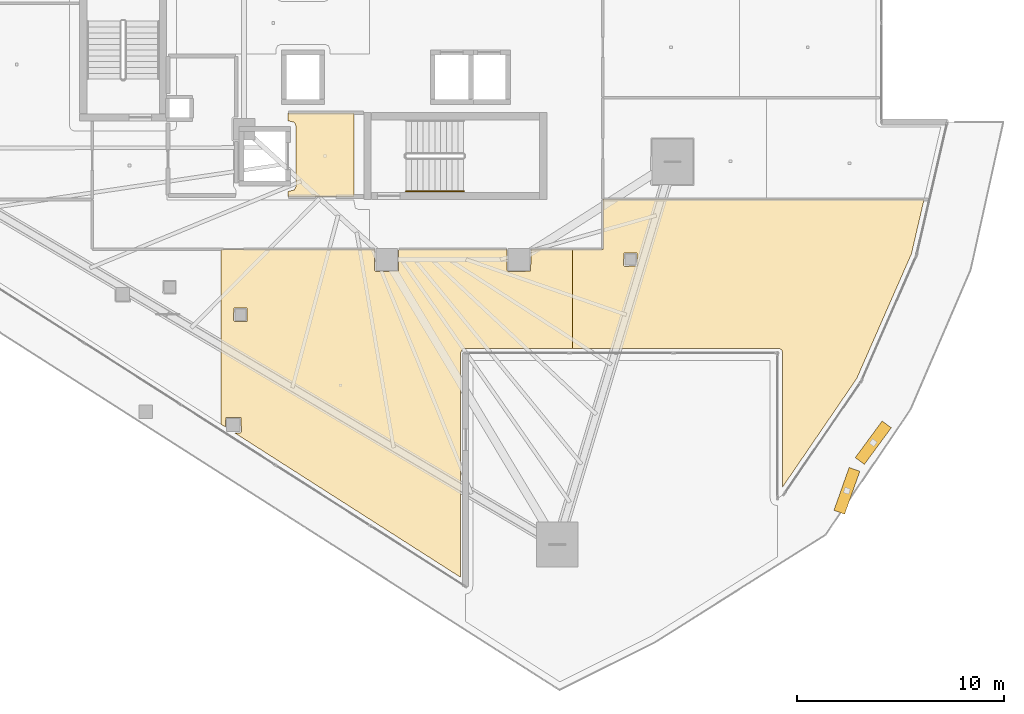
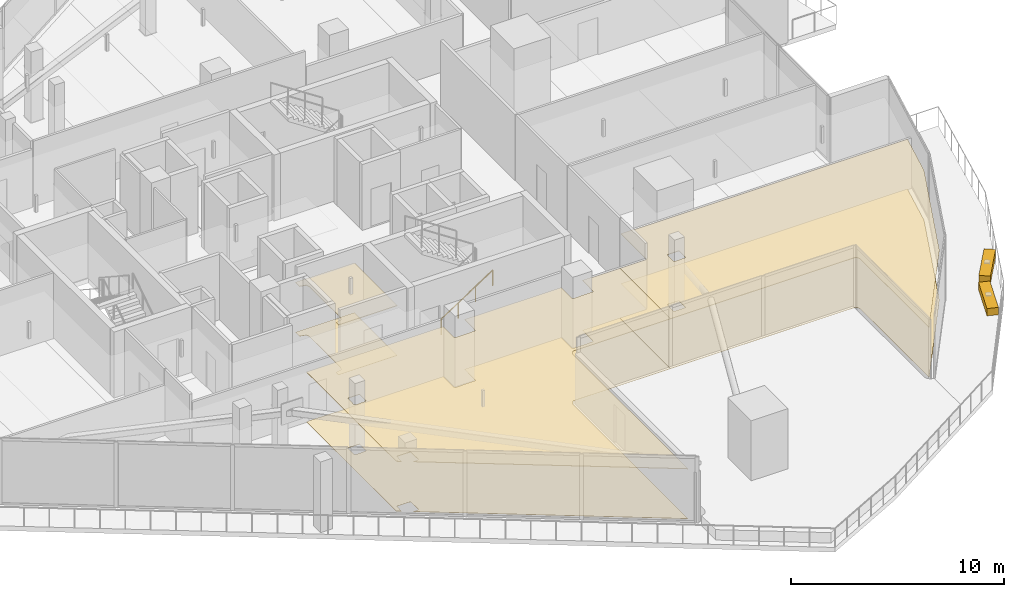
# One storey, part 38 of 43: 6 coverings, 2 shading devices, 1 railing.
"""IFC4 building model written with IfcOpenShell, lengths in metres."""

from ifc_helpers import new_model, si_unit, direction, frame, origin, origin_2d, place, context, subcontext, project, spatial, polyline, rectangle, circle, outline, extrude, material, layer, layer_set, type_object, element, save


model = new_model("IFC4")

# Units and contexts
model_context = context("Model", 3, precision=1e-05, world=origin(), true_north=direction((0.0, 1.0)))
body_context = subcontext(model_context, "Body", "Model", "MODEL_VIEW")
ifc_project = project(units=[si_unit("LENGTHUNIT", "METRE"), si_unit("AREAUNIT", "SQUARE_METRE"), si_unit("VOLUMEUNIT", "CUBIC_METRE"), si_unit("PLANEANGLEUNIT", "RADIAN"), si_unit("MASSUNIT", "GRAM", prefix="KILO")], contexts=[model_context])

# Site, building, storey
site_placement = place(None, origin())
site = spatial("IfcSite", under=ifc_project, at=site_placement, CompositionType="ELEMENT")
building_placement = place(site_placement, origin())
building = spatial("IfcBuilding", under=site, at=building_placement, Name="Qorvath Tower", CompositionType="ELEMENT")
storey_placement = place(building_placement, frame((0.0, 0.0, 150.300048828125)))
storey = spatial("IfcBuildingStorey", under=building, at=storey_placement, Name="L34", CompositionType="ELEMENT", Elevation=150.300048828125)

# Coverings
ifc_material_1 = material(Name="Acoustic mineral fibre ceiling tile", Category="gypsum")
ifc_layer_1 = layer(ifc_material_1, 0.030029296875)
ifc_layer_set_1 = layer_set([ifc_layer_1], Name="COV-CEIL")
covering_type_1 = type_object("IfcCoveringType", Name="COV-CEIL", PredefinedType="CEILING", material=ifc_layer_set_1)
covering_1_placement = place(storey_placement, frame((0.0, 0.0, 2.849853515625)))
element("IfcCovering", 1, at=covering_1_placement, inside=storey, type_object=covering_type_1, Name="L34 Suspended Acoustic Ceiling 002", PredefinedType="CEILING", context=body_context, shape_type="SweptSolid", body=[
    extrude(outline(polyline([(-25.18994140625, -8.39501953125), (-25.18994140625, -4.35498046875), (-28.375, -4.35498046875), (-28.375, -4.739990234375), (-28.063232421875, -4.813232421875), (-27.989990234375, -4.989990234375), (-27.989990234375, -7.909912109375), (-28.063232421875, -8.086669921875), (-28.375, -8.159912109375), (-28.375, -8.39501953125), (-25.18994140625, -8.39501953125)])), origin(), (0.0, 0.0, 1.0), 0.030029296875),
])
covering_2_placement = place(storey_placement, frame((0.0, 0.0, 2.849853515625)))
element("IfcCovering", 2, at=covering_2_placement, inside=storey, type_object=covering_type_1, Name="L34 Suspended Acoustic Ceiling 018", PredefinedType="CEILING", context=body_context, shape_type="SweptSolid", body=[
    extrude(outline(polyline([(-14.603759765625, -15.755859375), (-14.603759765625, -10.962890625), (-16.614990234375, -10.962890625), (-16.632568359375, -12.017333984375), (-17.72509765625, -12.034912109375), (-17.784912109375, -11.97509765625), (-17.784912109375, -10.962890625), (-23.014892578125, -10.962890625), (-23.032470703125, -12.017333984375), (-24.125, -12.034912109375), (-24.18505859375, -11.97509765625), (-24.18505859375, -10.962890625), (-31.611328125, -10.962890625), (-31.611328125, -19.425048828125), (-31.401123046875, -19.5595703125), (-31.383544921875, -19.093017578125), (-30.648681640625, -19.093017578125), (-30.631103515625, -19.785400390625), (-30.691162109375, -19.845458984375), (-30.953857421875, -19.845458984375), (-20.0390625, -26.8212890625), (-20.0390625, -15.98388671875), (-19.9052734375, -15.760009765625), (-14.603759765625, -15.755859375)]), holes=[polyline([(-31.01220703125, -14.3994140625), (-30.99462890625, -13.806884765625), (-30.35986328125, -13.806884765625), (-30.35986328125, -14.441650390625), (-30.9521484375, -14.459228515625), (-31.01220703125, -14.3994140625)])]), origin(), (0.0, 0.0, 1.0), 0.030029296875),
])
covering_3_placement = place(storey_placement, frame((0.0, 0.0, 2.849853515625)))
element("IfcCovering", 3, at=covering_3_placement, inside=storey, type_object=covering_type_1, Name="L34 Suspended Acoustic Ceiling 019", PredefinedType="CEILING", context=body_context, shape_type="SweptSolid", body=[
    extrude(outline(polyline([(-4.43310546875, -15.98388671875), (-4.43310546875, -22.452880859375), (-0.85205078125, -17.2138671875), (1.796142578125, -11.18017578125), (2.404052734375, -8.554931640625), (-13.136962890625, -8.554931640625), (-13.14208984375, -10.962890625), (-14.603759765625, -10.962890625), (-14.603759765625, -15.755859375), (-4.59228515625, -15.748046875), (-4.47705078125, -15.84130859375), (-4.43310546875, -15.98388671875)]), holes=[polyline([(-12.135009765625, -11.72509765625), (-12.117431640625, -11.132568359375), (-11.482666015625, -11.132568359375), (-11.482666015625, -11.767333984375), (-12.074951171875, -11.784912109375), (-12.135009765625, -11.72509765625)])]), origin(), (0.0, 0.0, 1.0), 0.030029296875),
])
ifc_material_2 = material(Name="Low-VOC modular carpet tile", Category="textile")
ifc_layer_2 = layer(ifc_material_2, 0.014892578125)
ifc_layer_set_2 = layer_set([ifc_layer_2], Name="COV-FLOOR-CPT")
covering_type_2 = type_object("IfcCoveringType", Name="COV-FLOOR-CPT", PredefinedType="FLOORING", material=ifc_layer_set_2)
covering_4_placement = place(storey_placement, origin())
element("IfcCovering", 4, at=covering_4_placement, inside=storey, type_object=covering_type_2, Name="L34 Floor Finish 018", PredefinedType="FLOORING", context=body_context, shape_type="SweptSolid", body=[
    extrude(outline(polyline([(-14.603759765625, -15.755859375), (-14.603759765625, -10.962890625), (-16.614990234375, -10.962890625), (-16.632568359375, -12.017333984375), (-17.72509765625, -12.034912109375), (-17.784912109375, -11.97509765625), (-17.784912109375, -10.962890625), (-23.014892578125, -10.962890625), (-23.032470703125, -12.017333984375), (-24.125, -12.034912109375), (-24.18505859375, -11.97509765625), (-24.18505859375, -10.962890625), (-31.611328125, -10.962890625), (-31.611328125, -19.425048828125), (-31.401123046875, -19.5595703125), (-31.383544921875, -19.093017578125), (-30.648681640625, -19.093017578125), (-30.631103515625, -19.785400390625), (-30.691162109375, -19.845458984375), (-30.953857421875, -19.845458984375), (-20.0390625, -26.8212890625), (-20.0390625, -15.98388671875), (-19.9052734375, -15.760009765625), (-14.603759765625, -15.755859375)]), holes=[polyline([(-31.01220703125, -14.3994140625), (-30.99462890625, -13.806884765625), (-30.35986328125, -13.806884765625), (-30.35986328125, -14.441650390625), (-30.9521484375, -14.459228515625), (-31.01220703125, -14.3994140625)])]), origin(), (0.0, 0.0, 1.0), 0.014892578125),
])
covering_5_placement = place(storey_placement, origin())
element("IfcCovering", 5, at=covering_5_placement, inside=storey, type_object=covering_type_2, Name="L34 Floor Finish 019", PredefinedType="FLOORING", context=body_context, shape_type="SweptSolid", body=[
    extrude(outline(polyline([(-4.43310546875, -15.98388671875), (-4.43310546875, -22.452880859375), (-0.85205078125, -17.2138671875), (1.796142578125, -11.18017578125), (2.404052734375, -8.554931640625), (-13.136962890625, -8.554931640625), (-13.14208984375, -10.962890625), (-14.603759765625, -10.962890625), (-14.603759765625, -15.755859375), (-4.59228515625, -15.748046875), (-4.47705078125, -15.84130859375), (-4.43310546875, -15.98388671875)]), holes=[polyline([(-12.135009765625, -11.72509765625), (-12.117431640625, -11.132568359375), (-11.482666015625, -11.132568359375), (-11.482666015625, -11.767333984375), (-12.074951171875, -11.784912109375), (-12.135009765625, -11.72509765625)])]), origin(), (0.0, 0.0, 1.0), 0.014892578125),
])
ifc_material_3 = material(Name="Polished epoxy terrazzo flooring", Category="concrete")
ifc_layer_3 = layer(ifc_material_3, 0.02001953125)
ifc_layer_set_3 = layer_set([ifc_layer_3], Name="COV-FLOOR-TRZ")
covering_type_3 = type_object("IfcCoveringType", Name="COV-FLOOR-TRZ", PredefinedType="FLOORING", material=ifc_layer_set_3)
covering_6_placement = place(storey_placement, origin())
element("IfcCovering", 6, at=covering_6_placement, inside=storey, type_object=covering_type_3, Name="L34 Floor Finish 002", PredefinedType="FLOORING", context=body_context, shape_type="SweptSolid", body=[
    extrude(outline(polyline([(-25.18994140625, -8.39501953125), (-25.18994140625, -4.35498046875), (-28.375, -4.35498046875), (-28.375, -4.739990234375), (-28.063232421875, -4.813232421875), (-27.989990234375, -4.989990234375), (-27.989990234375, -7.909912109375), (-28.063232421875, -8.086669921875), (-28.375, -8.159912109375), (-28.375, -8.39501953125), (-25.18994140625, -8.39501953125)])), origin(), (0.0, 0.0, 1.0), 0.014892578125),
])

# Railing
ifc_material_4 = material(Name="Brushed stainless steel AISI 304", Category="steel")
railing_type = type_object("IfcRailingType", Name="RL-STR-HND", PredefinedType="HANDRAIL", material=ifc_material_4)
railing_placement = place(storey_placement, frame((-22.669921875, -8.14990234375, 0.18408203125)))
element("IfcRailing", 7, at=railing_placement, inside=storey, type_object=railing_type, Name="L34 TS2 stair handrail 1", PredefinedType="HANDRAIL", context=body_context, shape_type="SweptSolid", body=[
    extrude(circle(Radius=0.02392578125, at=origin_2d()), frame((0.0, 0.0, 0.8759765625), z_axis=(0.835575518608, 0.0, 0.549375602573), x_axis=(0.0, 1.0, 0.0)), (0.0, 0.0, 1.0), 3.350830078125),
    extrude(circle(Radius=0.02099609375, at=origin_2d()), origin(), (0.0, 0.0, 1.0), 0.851806640625),
    extrude(circle(Radius=0.02099609375, at=origin_2d()), frame((0.933349609375, 0.0, 0.613525390625)), (0.0, 0.0, 1.0), 0.851806640625),
    extrude(circle(Radius=0.02099609375, at=origin_2d()), frame((1.866455078125, 0.0, 1.227294921875)), (0.0, 0.0, 1.0), 0.851806640625),
    extrude(circle(Radius=0.02099609375, at=origin_2d()), frame((2.7998046875, 0.0, 1.8408203125)), (0.0, 0.0, 1.0), 0.851806640625),
])

# Shading devices
ifc_material_5 = material(Name="Anodised bronze-champagne aluminium", Category="aluminium")
shading_device_type = type_object("IfcShadingDeviceType", Name="SD-LOUVRE", PredefinedType="JALOUSIE", material=ifc_material_5)
for number, where, z_axis, x_axis, name in (
    (8, (-1.32763671875, -22.647216796875, 3.360107421875), (0.0, 0.0, 1.0), (0.334277350482, 0.94247474924, 0.0), "Sinusoidal Wave Louvre Blade L34-03"),
    (9, (-0.05126953125, -20.31884765625, 3.360107421875), (0.0, 0.0, 1.0), (0.592419613822, 0.805629568201, 0.0), "Sinusoidal Wave Louvre Blade L34-04"),
):
    element("IfcShadingDevice", number, at=place(storey_placement, frame(where, z_axis=z_axis, x_axis=x_axis)), inside=storey, type_object=shading_device_type, Name=name, PredefinedType="NOTDEFINED", context=body_context, shape_type="SweptSolid", body=[
        extrude(rectangle(XDim=2.199951171875, YDim=0.550048828125, at=origin_2d()), origin(), (0.0, 0.0, 1.0), 0.419921875),
    ])

save(model, "model.ifc")
